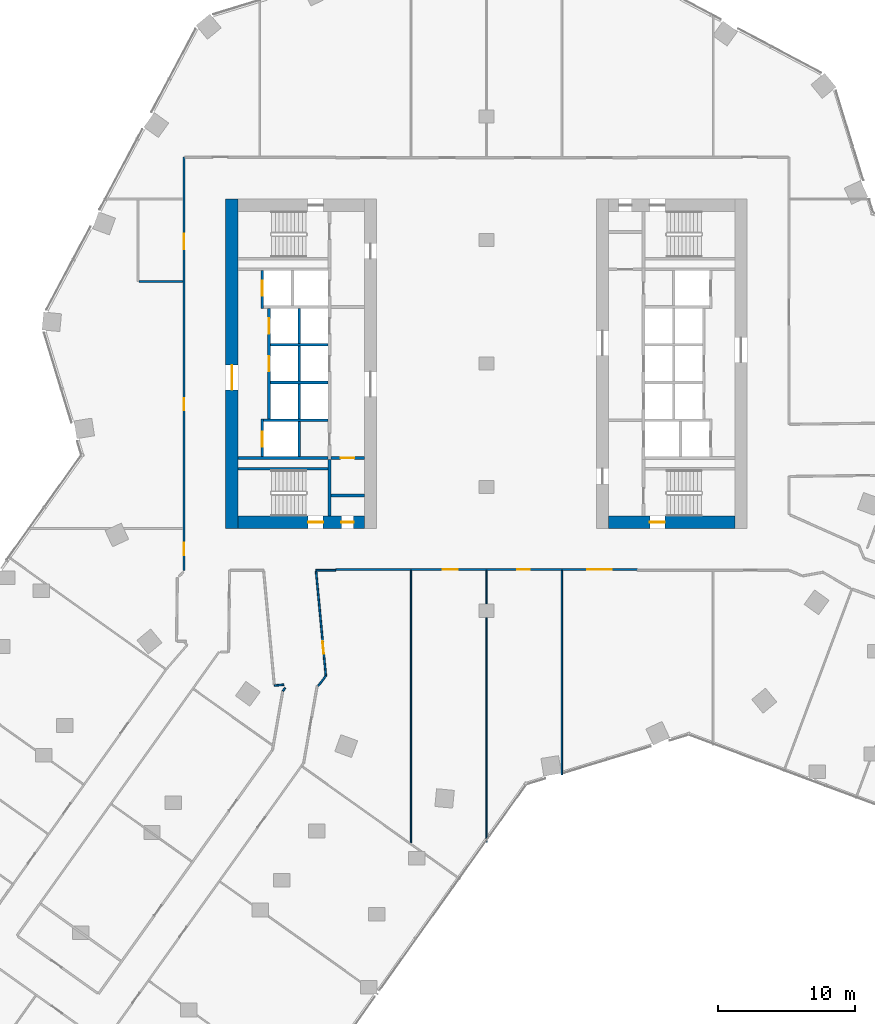
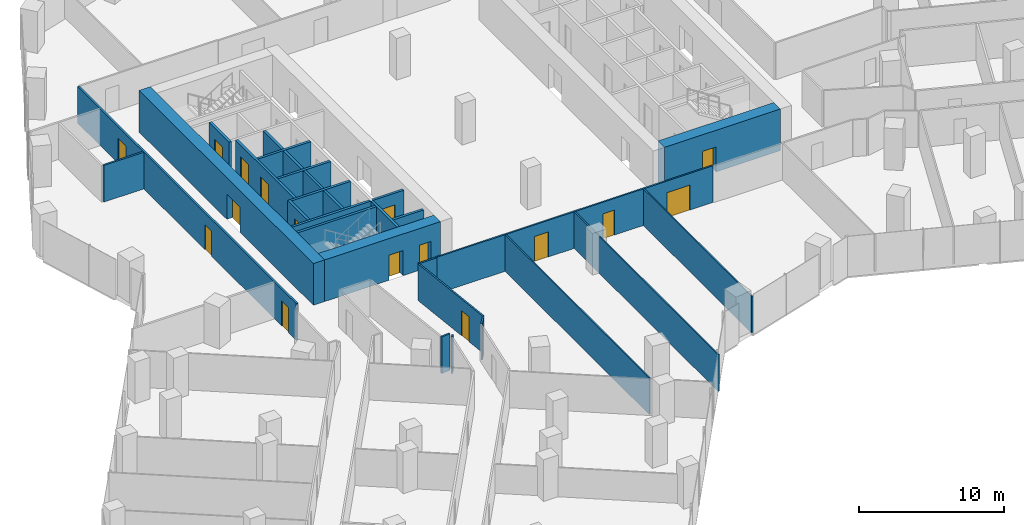
# One storey, part 24 of 31: 29 walls, 16 doors, 16 openings.
"""IFC4 building model written with IfcOpenShell, lengths in metres."""

from ifc_helpers import new_model, si_unit, direction, frame, frame_2d, origin, place, context, subcontext, project, spatial, rectangle, extrude, material, layer, layer_set, type_object, element, fill, save


model = new_model("IFC4")

# Units and contexts
model_context = context("Model", 3, precision=1e-05, world=origin(), true_north=direction((0.0, 1.0)))
body_context = subcontext(model_context, "Body", "Model", "MODEL_VIEW")
ifc_project = project(units=[si_unit("LENGTHUNIT", "METRE"), si_unit("AREAUNIT", "SQUARE_METRE"), si_unit("VOLUMEUNIT", "CUBIC_METRE"), si_unit("PLANEANGLEUNIT", "RADIAN"), si_unit("MASSUNIT", "GRAM", prefix="KILO")], contexts=[model_context])

# Site, building, storey
site_placement = place(None, origin())
site = spatial("IfcSite", under=ifc_project, at=site_placement, CompositionType="ELEMENT")
building_placement = place(site_placement, origin())
building = spatial("IfcBuilding", under=site, at=building_placement, Name="Orlundy Tower", CompositionType="ELEMENT")
storey_placement = place(building_placement, frame((0.0, 0.0, 91.199951171875)))
storey = spatial("IfcBuildingStorey", under=building, at=storey_placement, Name="L22", CompositionType="ELEMENT", Elevation=91.199951171875)

# Wall, openings, doors
ifc_material_1 = material(Name="Concrete C80/95", Category="concrete")
ifc_layer_1 = layer(ifc_material_1, 0.89990234375)
ifc_layer_set_1 = layer_set([ifc_layer_1], Name="CORE WALL 900 C80/95")
wall_type_1 = type_object("IfcWallType", Name="CORE WALL 900 C80/95", PredefinedType="SHEAR", material=ifc_layer_set_1)
wall_1_placement = place(storey_placement, frame((-18.10009765625, -11.550048828125, 0.0), z_axis=(0.0, 0.0, 1.0), x_axis=(1.0, 0.0, 0.0)))
wall_1 = element("IfcWall", 1, at=wall_1_placement, inside=storey, type_object=wall_type_1, Name="Core wall W-S L22", PredefinedType="SHEAR", context=body_context, shape_type="SweptSolid", body=[
    extrude(rectangle(XDim=9.2001953125, YDim=0.89990234375, at=frame_2d((4.60009765625, 0.0))), origin(), (0.0, 0.0, 1.0), 3.5),
])
opening_1_placement = place(wall_1_placement, frame((5.10009765625, 0.0, 0.0)))
opening_1 = element("IfcOpeningElement", 2, at=opening_1_placement, cuts=wall_1, Name="Opening 18013", PredefinedType="OPENING", context=body_context, shape_type="SweptSolid", body=[
    extrude(rectangle(XDim=1.10009765625, YDim=2.10009765625, at=frame_2d((0.550048828125, 1.050048828125))), frame((0.0, 0.4599609375, 0.0), z_axis=(0.0, -1.0, 0.0), x_axis=(1.0, 0.0, 0.0)), (0.0, 0.0, 1.0), 0.919921875),
])
opening_2_placement = place(wall_1_placement, frame((7.530029296875, 0.0, 0.0)))
opening_2 = element("IfcOpeningElement", 3, at=opening_2_placement, cuts=wall_1, Name="Opening 18015", PredefinedType="OPENING", context=body_context, shape_type="SweptSolid", body=[
    extrude(rectangle(XDim=0.89990234375, YDim=2.10009765625, at=frame_2d((0.449951171875, 1.050048828125))), frame((0.0, 0.4599609375, 0.0), z_axis=(0.0, -1.0, 0.0), x_axis=(1.0, 0.0, 0.0)), (0.0, 0.0, 1.0), 0.919921875),
])
ifc_material_2 = material(Name="Timber door set", Category="wood")
door_type_1 = type_object("IfcDoorType", Name="Room Door 900x2100", OperationType="SINGLE_SWING_LEFT", PredefinedType="DOOR", material=ifc_material_2)
door_1_placement = place(opening_2_placement, origin())
door_1 = element("IfcDoor", 4, at=door_1_placement, inside=storey, type_object=door_type_1, Name="Store door 18015", OperationType="SINGLE_SWING_RIGHT", OverallHeight=2.10009765625, OverallWidth=0.89990234375, PredefinedType="DOOR", context=body_context, shape_type="SweptSolid", body=[
    extrude(rectangle(XDim=0.89990234375, YDim=2.10009765625, at=frame_2d((0.449951171875, 1.050048828125))), frame((0.0, 0.02490234375, 0.0), z_axis=(0.0, -1.0, 0.0), x_axis=(1.0, 0.0, 0.0)), (0.0, 0.0, 1.0), 0.050048828125),
])
fill(opening_2, door_1)
ifc_material_3 = material(Name="Steel door set", Category="steel")
door_type_2 = type_object("IfcDoorType", Name="Stair Door 1100x2100", OperationType="SINGLE_SWING_LEFT", PredefinedType="DOOR", material=ifc_material_3)
door_2_placement = place(opening_1_placement, origin())
door_2 = element("IfcDoor", 5, at=door_2_placement, inside=storey, type_object=door_type_2, Name="Stair door 18013", OperationType="SINGLE_SWING_RIGHT", OverallHeight=2.10009765625, OverallWidth=1.10009765625, PredefinedType="DOOR", context=body_context, shape_type="SweptSolid", body=[
    extrude(rectangle(XDim=1.10009765625, YDim=2.10009765625, at=frame_2d((0.550048828125, 1.050048828125))), frame((0.0, 0.02490234375, 0.0), z_axis=(0.0, -1.0, 0.0), x_axis=(1.0, 0.0, 0.0)), (0.0, 0.0, 1.0), 0.050048828125),
])
fill(opening_1, door_2)

# Wall, opening, door
wall_2_placement = place(storey_placement, frame((-18.550048828125, -12.0, 0.0), z_axis=(0.0, 0.0, 1.0), x_axis=(0.0, 1.0, 0.0)))
wall_2 = element("IfcWall", 6, at=wall_2_placement, inside=storey, type_object=wall_type_1, Name="Core wall W-W L22", PredefinedType="SHEAR", context=body_context, shape_type="SweptSolid", body=[
    extrude(rectangle(XDim=24.0, YDim=0.89990234375, at=frame_2d((12.0, 0.0))), origin(), (0.0, 0.0, 1.0), 3.5),
])
opening_3_placement = place(wall_2_placement, frame((10.10009765625, 0.0, 0.0)))
opening_3 = element("IfcOpeningElement", 7, at=opening_3_placement, cuts=wall_2, Name="Opening 18010", PredefinedType="OPENING", context=body_context, shape_type="SweptSolid", body=[
    extrude(rectangle(XDim=1.800048828125, YDim=2.10009765625, at=frame_2d((0.89990234375, 1.050048828125))), frame((0.0, 0.4599609375, 0.0), z_axis=(0.0, -1.0, 0.0), x_axis=(1.0, 0.0, 0.0)), (0.0, 0.0, 1.0), 0.919921875),
])
ifc_material_4 = material(Name="Timber door set", Category="wood")
door_type_3 = type_object("IfcDoorType", Name="Lobby Door 1800x2100", OperationType="DOUBLE_DOOR_DOUBLE_SWING", PredefinedType="DOOR", material=ifc_material_4)
door_3_placement = place(opening_3_placement, origin())
door_3 = element("IfcDoor", 8, at=door_3_placement, inside=storey, type_object=door_type_3, Name="Lift lobby door 18010", OperationType="SINGLE_SWING_LEFT", OverallHeight=2.10009765625, OverallWidth=1.800048828125, PredefinedType="DOOR", context=body_context, shape_type="SweptSolid", body=[
    extrude(rectangle(XDim=1.800048828125, YDim=2.10009765625, at=frame_2d((0.89990234375, 1.050048828125))), frame((0.0, 0.02490234375, 0.0), z_axis=(0.0, -1.0, 0.0), x_axis=(1.0, 0.0, 0.0)), (0.0, 0.0, 1.0), 0.050048828125),
])
fill(opening_3, door_3)

wall_3_placement = place(storey_placement, frame((8.89990234375, -11.550048828125, 0.0), z_axis=(0.0, 0.0, 1.0), x_axis=(1.0, 0.0, 0.0)))
wall_3 = element("IfcWall", 9, at=wall_3_placement, inside=storey, type_object=wall_type_1, Name="Core wall E-S L22", PredefinedType="SHEAR", context=body_context, shape_type="SweptSolid", body=[
    extrude(rectangle(XDim=9.2001953125, YDim=0.89990234375, at=frame_2d((4.60009765625, 0.0))), origin(), (0.0, 0.0, 1.0), 3.5),
])
opening_4_placement = place(wall_3_placement, frame((3.0, 0.0, 0.0)))
opening_4 = element("IfcOpeningElement", 10, at=opening_4_placement, cuts=wall_3, Name="Opening 18061", PredefinedType="OPENING", context=body_context, shape_type="SweptSolid", body=[
    extrude(rectangle(XDim=1.10009765625, YDim=2.10009765625, at=frame_2d((0.550048828125, 1.050048828125))), frame((0.0, 0.4599609375, 0.0), z_axis=(0.0, -1.0, 0.0), x_axis=(1.0, 0.0, 0.0)), (0.0, 0.0, 1.0), 0.919921875),
])
door_4_placement = place(opening_4_placement, origin())
door_4 = element("IfcDoor", 11, at=door_4_placement, inside=storey, type_object=door_type_2, Name="Stair door 18061", OperationType="SINGLE_SWING_LEFT", OverallHeight=2.10009765625, OverallWidth=1.10009765625, PredefinedType="DOOR", context=body_context, shape_type="SweptSolid", body=[
    extrude(rectangle(XDim=1.10009765625, YDim=2.10009765625, at=frame_2d((0.550048828125, 1.050048828125))), frame((0.0, 0.02490234375, 0.0), z_axis=(0.0, -1.0, 0.0), x_axis=(1.0, 0.0, 0.0)), (0.0, 0.0, 1.0), 0.050048828125),
])
fill(opening_4, door_4)

# Walls
ifc_material_5 = material(Name="Gypsum board partition")
ifc_layer_2 = layer(ifc_material_5, 0.10009765625)
ifc_layer_set_2 = layer_set([ifc_layer_2], Name="Floor partition 100")
wall_type_2 = type_object("IfcWallType", Name="Floor partition 100", PredefinedType="PARTITIONING", material=ifc_layer_set_2)
wall_4_placement = place(storey_placement, frame((5.49609375, -29.950927734375, 0.0), z_axis=(0.0, 0.0, 1.0), x_axis=(0.0, 1.0, 0.0)))
element("IfcWall", 12, at=wall_4_placement, inside=storey, type_object=wall_type_2, Name="wall-int-L22-079", PredefinedType="PARTITIONING", context=body_context, shape_type="SweptSolid", body=[
    extrude(rectangle(XDim=14.887939453125, YDim=0.10009765625, at=frame_2d((7.44384765625, 0.0))), origin(), (0.0, 0.0, 1.0), 3.080078125),
])
wall_5_placement = place(storey_placement, frame((0.0, -34.87109375, 0.0), z_axis=(0.0, 0.0, 1.0), x_axis=(0.0, 1.0, 0.0)))
element("IfcWall", 13, at=wall_5_placement, inside=storey, type_object=wall_type_2, Name="wall-int-L22-081", PredefinedType="PARTITIONING", context=body_context, shape_type="SweptSolid", body=[
    extrude(rectangle(XDim=19.80810546875, YDim=0.10009765625, at=frame_2d((9.904052734375, 0.0))), origin(), (0.0, 0.0, 1.0), 3.080078125),
])
wall_6_placement = place(storey_placement, frame((-5.493896484375, -34.9130859375, 0.0), z_axis=(0.0, 0.0, 1.0), x_axis=(0.0, 1.0, 0.0)))
element("IfcWall", 14, at=wall_6_placement, inside=storey, type_object=wall_type_2, Name="wall-int-L22-083", PredefinedType="PARTITIONING", context=body_context, shape_type="SweptSolid", body=[
    extrude(rectangle(XDim=19.85009765625, YDim=0.10009765625, at=frame_2d((9.925048828125, 0.0))), origin(), (0.0, 0.0, 1.0), 3.080078125),
])

# Wall, opening, door
ifc_material_6 = material(Name="Gypsum board partition, double layer")
ifc_layer_3 = layer(ifc_material_6, 0.125)
ifc_layer_set_3 = layer_set([ifc_layer_3], Name="Floor partition 125")
wall_type_3 = type_object("IfcWallType", Name="Floor partition 125", PredefinedType="PARTITIONING", material=ifc_layer_set_3)
wall_7_placement = place(storey_placement, frame((-12.416015625, -15.113037109375, 0.0), z_axis=(0.0, 0.0, 1.0), x_axis=(0.093186749475, -0.995648647728, 0.0)))
wall_7 = element("IfcWall", 15, at=wall_7_placement, inside=storey, type_object=wall_type_3, Name="wall-int-L22-004", PredefinedType="PARTITIONING", context=body_context, shape_type="SweptSolid", body=[
    extrude(rectangle(XDim=7.663330078125, YDim=0.125, at=frame_2d((3.83154296875, 0.0))), origin(), (0.0, 0.0, 1.0), 3.080078125),
])
opening_5_placement = place(wall_7_placement, frame((5.152099609375, 0.0, 0.0)))
opening_5 = element("IfcOpeningElement", 16, at=opening_5_placement, cuts=wall_7, Name="Opening 18124", PredefinedType="OPENING", context=body_context, shape_type="SweptSolid", body=[
    extrude(rectangle(XDim=0.89990234375, YDim=2.10009765625, at=frame_2d((0.449951171875, 1.050048828125))), frame((0.0, 0.072509765625, 0.0), z_axis=(0.0, -1.0, 0.0), x_axis=(1.0, 0.0, 0.0)), (0.0, 0.0, 1.0), 0.14501953125),
])
ifc_material_7 = material(Name="Timber door leaf", Category="wood")
door_type_4 = type_object("IfcDoorType", Name="Floor door single 900 FD30S", OperationType="NOTDEFINED", PredefinedType="DOOR", material=ifc_material_7)
door_5_placement = place(opening_5_placement, origin())
door_5 = element("IfcDoor", 17, at=door_5_placement, inside=storey, type_object=door_type_4, Name="Door 18124", OperationType="SINGLE_SWING_RIGHT", OverallHeight=2.10009765625, OverallWidth=0.89990234375, PredefinedType="DOOR", context=body_context, shape_type="SweptSolid", body=[
    extrude(rectangle(XDim=0.89990234375, YDim=2.10009765625, at=frame_2d((0.449951171875, 1.050048828125))), frame((0.0, 0.02490234375, 0.0), z_axis=(0.0, -1.0, 0.0), x_axis=(1.0, 0.0, 0.0)), (0.0, 0.0, 1.0), 0.050048828125),
])
fill(opening_5, door_5)

# Wall
wall_8_placement = place(storey_placement, frame((-12.422119140625, -15.051025390625, 0.0), z_axis=(0.0, 0.0, 1.0), x_axis=(1.0, 0.0, 0.0)))
element("IfcWall", 18, at=wall_8_placement, inside=storey, type_object=wall_type_3, Name="wall-int-L22-032", PredefinedType="PARTITIONING", context=body_context, shape_type="SweptSolid", body=[
    extrude(rectangle(XDim=1.43115234375, YDim=0.125, at=frame_2d((0.715576171875, 0.0))), origin(), (0.0, 0.0, 1.0), 3.080078125),
])

# Wall, openings, doors
wall_9_placement = place(storey_placement, frame((10.989990234375, -15.0009765625, 0.0), z_axis=(0.0, 0.0, 1.0), x_axis=(-1.0, 0.0, 0.0)))
wall_9 = element("IfcWall", 19, at=wall_9_placement, inside=storey, type_object=wall_type_3, Name="wall-int-L22-034", PredefinedType="PARTITIONING", context=body_context, shape_type="SweptSolid", body=[
    extrude(rectangle(XDim=21.97998046875, YDim=0.125, at=frame_2d((10.989990234375, 0.0))), origin(), (0.0, 0.0, 1.0), 3.080078125),
])
opening_6_placement = place(wall_9_placement, frame((13.090087890625, 0.0, 0.0)))
opening_6 = element("IfcOpeningElement", 20, at=opening_6_placement, cuts=wall_9, Name="Opening 18125", PredefinedType="OPENING", context=body_context, shape_type="SweptSolid", body=[
    extrude(rectangle(XDim=1.10009765625, YDim=2.10009765625, at=frame_2d((0.550048828125, 1.050048828125))), frame((0.0, 0.072509765625, 0.0), z_axis=(0.0, -1.0, 0.0), x_axis=(1.0, 0.0, 0.0)), (0.0, 0.0, 1.0), 0.14501953125),
])
opening_7_placement = place(wall_9_placement, frame((7.843994140625, 0.0, 0.0)))
opening_7 = element("IfcOpeningElement", 21, at=opening_7_placement, cuts=wall_9, Name="Opening 18126", PredefinedType="OPENING", context=body_context, shape_type="SweptSolid", body=[
    extrude(rectangle(XDim=0.89990234375, YDim=2.10009765625, at=frame_2d((0.449951171875, 1.050048828125))), frame((0.0, 0.072509765625, 0.0), z_axis=(0.0, -1.0, 0.0), x_axis=(1.0, 0.0, 0.0)), (0.0, 0.0, 1.0), 0.14501953125),
])
opening_8_placement = place(wall_9_placement, frame((1.85009765625, 0.0, 0.0)))
opening_8 = element("IfcOpeningElement", 22, at=opening_8_placement, cuts=wall_9, Name="Opening 18127", PredefinedType="OPENING", context=body_context, shape_type="SweptSolid", body=[
    extrude(rectangle(XDim=1.800048828125, YDim=2.10009765625, at=frame_2d((0.89990234375, 1.050048828125))), frame((0.0, 0.072509765625, 0.0), z_axis=(0.0, -1.0, 0.0), x_axis=(1.0, 0.0, 0.0)), (0.0, 0.0, 1.0), 0.14501953125),
])
ifc_material_8 = material(Name="Timber door leaf", Category="wood")
door_type_5 = type_object("IfcDoorType", Name="Floor door double 1800 FD30S", OperationType="NOTDEFINED", PredefinedType="DOOR", material=ifc_material_8)
door_6_placement = place(opening_8_placement, origin())
door_6 = element("IfcDoor", 23, at=door_6_placement, inside=storey, type_object=door_type_5, Name="Door 18127", OperationType="DOUBLE_DOOR_SINGLE_SWING", OverallHeight=2.10009765625, OverallWidth=1.800048828125, PredefinedType="DOOR", context=body_context, shape_type="SweptSolid", body=[
    extrude(rectangle(XDim=1.800048828125, YDim=2.10009765625, at=frame_2d((0.89990234375, 1.050048828125))), frame((0.0, 0.02490234375, 0.0), z_axis=(0.0, -1.0, 0.0), x_axis=(1.0, 0.0, 0.0)), (0.0, 0.0, 1.0), 0.050048828125),
])
fill(opening_8, door_6)
door_7_placement = place(opening_7_placement, origin())
door_7 = element("IfcDoor", 24, at=door_7_placement, inside=storey, type_object=door_type_4, Name="Door 18126", OperationType="SINGLE_SWING_LEFT", OverallHeight=2.10009765625, OverallWidth=0.89990234375, PredefinedType="DOOR", context=body_context, shape_type="SweptSolid", body=[
    extrude(rectangle(XDim=0.89990234375, YDim=2.10009765625, at=frame_2d((0.449951171875, 1.050048828125))), frame((0.0, 0.02490234375, 0.0), z_axis=(0.0, -1.0, 0.0), x_axis=(1.0, 0.0, 0.0)), (0.0, 0.0, 1.0), 0.050048828125),
])
fill(opening_7, door_7)
ifc_material_9 = material(Name="Timber door leaf", Category="wood")
door_type_6 = type_object("IfcDoorType", Name="Floor door xwide 1100 FD30S", OperationType="NOTDEFINED", PredefinedType="DOOR", material=ifc_material_9)
door_8_placement = place(opening_6_placement, origin())
door_8 = element("IfcDoor", 25, at=door_8_placement, inside=storey, type_object=door_type_6, Name="Door 18125", OperationType="SINGLE_SWING_RIGHT", OverallHeight=2.10009765625, OverallWidth=1.10009765625, PredefinedType="DOOR", context=body_context, shape_type="SweptSolid", body=[
    extrude(rectangle(XDim=1.10009765625, YDim=2.10009765625, at=frame_2d((0.550048828125, 1.050048828125))), frame((0.0, 0.02490234375, 0.0), z_axis=(0.0, -1.0, 0.0), x_axis=(1.0, 0.0, 0.0)), (0.0, 0.0, 1.0), 0.050048828125),
])
fill(opening_6, door_8)

# Walls
wall_10_placement = place(storey_placement, frame((-12.256103515625, -23.47607421875, 0.0), z_axis=(0.0, 0.0, 1.0), x_axis=(0.603013454961, 0.797731015528, 0.0)))
element("IfcWall", 26, at=wall_10_placement, inside=storey, type_object=wall_type_3, Name="wall-int-L22-045", PredefinedType="PARTITIONING", context=body_context, shape_type="SweptSolid", body=[
    extrude(rectangle(XDim=0.9189453125, YDim=0.125, at=frame_2d((0.45947265625, 0.0))), origin(), (0.0, 0.0, 1.0), 3.080078125),
])
wall_11_placement = place(storey_placement, frame((-15.4541015625, -23.451904296875, 0.0), z_axis=(0.0, 0.0, 1.0), x_axis=(0.995687741578, 0.09276810482, 0.0)))
element("IfcWall", 27, at=wall_11_placement, inside=storey, type_object=wall_type_3, Name="wall-int-L22-046", PredefinedType="PARTITIONING", context=body_context, shape_type="SweptSolid", body=[
    extrude(rectangle(XDim=0.699951171875, YDim=0.125, at=frame_2d((0.35009765625, 0.0))), origin(), (0.0, 0.0, 1.0), 3.080078125),
])
wall_12_placement = place(storey_placement, frame((-14.840087890625, -23.85693359375, 0.0), z_axis=(0.0, 0.0, 1.0), x_axis=(0.586176879317, 0.810183106559, 0.0)))
element("IfcWall", 28, at=wall_12_placement, inside=storey, type_object=wall_type_3, Name="wall-int-L22-049", PredefinedType="PARTITIONING", context=body_context, shape_type="SweptSolid", body=[
    extrude(rectangle(XDim=0.298583984375, YDim=0.125, at=frame_2d((0.1494140625, 0.0))), origin(), (0.0, 0.0, 1.0), 3.080078125),
])
ifc_material_10 = material(Name="Blockwork shaft wall", Category="masonry")
ifc_layer_4 = layer(ifc_material_10, 0.14990234375)
ifc_layer_set_4 = layer_set([ifc_layer_4], Name="Floor shaft wall 150")
wall_type_4 = type_object("IfcWallType", Name="Floor shaft wall 150", PredefinedType="PARTITIONING", material=ifc_layer_set_4)
wall_13_placement = place(storey_placement, frame((-25.306884765625, 6.0009765625, 0.0), z_axis=(0.0, 0.0, 1.0), x_axis=(1.0, 0.0, 0.0)))
element("IfcWall", 29, at=wall_13_placement, inside=storey, type_object=wall_type_4, Name="wall-int-L22-036", PredefinedType="PARTITIONING", context=body_context, shape_type="SweptSolid", body=[
    extrude(rectangle(XDim=3.181884765625, YDim=0.14990234375, at=frame_2d((1.5908203125, 0.0))), origin(), (0.0, 0.0, 1.0), 3.080078125),
])

# Wall, openings, doors
wall_14_placement = place(storey_placement, frame((-22.050048828125, -15.051025390625, 0.0), z_axis=(0.0, 0.0, 1.0), x_axis=(0.0, 1.0, 0.0)))
wall_14 = element("IfcWall", 30, at=wall_14_placement, inside=storey, type_object=wall_type_4, Name="wall-int-L22-086", PredefinedType="PARTITIONING", context=body_context, shape_type="SweptSolid", body=[
    extrude(rectangle(XDim=30.10205078125, YDim=0.14990234375, at=frame_2d((15.051025390625, 0.0))), origin(), (0.0, 0.0, 1.0), 3.080078125),
])
opening_9_placement = place(wall_14_placement, frame((11.65087890625, 0.0, 0.0)))
opening_9 = element("IfcOpeningElement", 31, at=opening_9_placement, cuts=wall_14, Name="Opening 18120", PredefinedType="OPENING", context=body_context, shape_type="SweptSolid", body=[
    extrude(rectangle(XDim=0.89990234375, YDim=2.10009765625, at=frame_2d((0.449951171875, 1.050048828125))), frame((0.0, 0.0849609375, 0.0), z_axis=(0.0, -1.0, 0.0), x_axis=(1.0, 0.0, 0.0)), (0.0, 0.0, 1.0), 0.169921875),
])
opening_10_placement = place(wall_14_placement, frame((1.10009765625, 0.0, 0.0)))
opening_10 = element("IfcOpeningElement", 32, at=opening_10_placement, cuts=wall_14, Name="Opening 18121", PredefinedType="OPENING", context=body_context, shape_type="SweptSolid", body=[
    extrude(rectangle(XDim=0.89990234375, YDim=2.10009765625, at=frame_2d((0.449951171875, 1.050048828125))), frame((0.0, 0.0849609375, 0.0), z_axis=(0.0, -1.0, 0.0), x_axis=(1.0, 0.0, 0.0)), (0.0, 0.0, 1.0), 0.169921875),
])
opening_11_placement = place(wall_14_placement, frame((23.402099609375, 0.0, 0.0)))
opening_11 = element("IfcOpeningElement", 33, at=opening_11_placement, cuts=wall_14, Name="Opening 18137", PredefinedType="OPENING", context=body_context, shape_type="SweptSolid", body=[
    extrude(rectangle(XDim=1.10009765625, YDim=2.10009765625, at=frame_2d((0.550048828125, 1.050048828125))), frame((0.0, 0.0849609375, 0.0), z_axis=(0.0, -1.0, 0.0), x_axis=(1.0, 0.0, 0.0)), (0.0, 0.0, 1.0), 0.169921875),
])
ifc_material_11 = material(Name="Timber door leaf", Category="wood")
door_type_7 = type_object("IfcDoorType", Name="Floor door single 900 FD60", OperationType="NOTDEFINED", PredefinedType="DOOR", material=ifc_material_11)
door_9_placement = place(opening_9_placement, origin())
door_9 = element("IfcDoor", 34, at=door_9_placement, inside=storey, type_object=door_type_7, Name="Door 18120", OperationType="SINGLE_SWING_LEFT", OverallHeight=2.10009765625, OverallWidth=0.89990234375, PredefinedType="DOOR", context=body_context, shape_type="SweptSolid", body=[
    extrude(rectangle(XDim=0.89990234375, YDim=2.10009765625, at=frame_2d((0.449951171875, 1.050048828125))), frame((0.0, 0.02490234375, 0.0), z_axis=(0.0, -1.0, 0.0), x_axis=(1.0, 0.0, 0.0)), (0.0, 0.0, 1.0), 0.050048828125),
])
fill(opening_9, door_9)
door_10_placement = place(opening_10_placement, origin())
door_10 = element("IfcDoor", 35, at=door_10_placement, inside=storey, type_object=door_type_7, Name="Door 18121", OperationType="SINGLE_SWING_LEFT", OverallHeight=2.10009765625, OverallWidth=0.89990234375, PredefinedType="DOOR", context=body_context, shape_type="SweptSolid", body=[
    extrude(rectangle(XDim=0.89990234375, YDim=2.10009765625, at=frame_2d((0.449951171875, 1.050048828125))), frame((0.0, 0.02490234375, 0.0), z_axis=(0.0, -1.0, 0.0), x_axis=(1.0, 0.0, 0.0)), (0.0, 0.0, 1.0), 0.050048828125),
])
fill(opening_10, door_10)
ifc_material_12 = material(Name="Timber door leaf", Category="wood")
door_type_8 = type_object("IfcDoorType", Name="Floor door xwide 1100 FD60", OperationType="NOTDEFINED", PredefinedType="DOOR", material=ifc_material_12)
door_11_placement = place(opening_11_placement, origin())
door_11 = element("IfcDoor", 36, at=door_11_placement, inside=storey, type_object=door_type_8, Name="Door 18137", OperationType="SINGLE_SWING_RIGHT", OverallHeight=2.10009765625, OverallWidth=1.10009765625, PredefinedType="DOOR", context=body_context, shape_type="SweptSolid", body=[
    extrude(rectangle(XDim=1.10009765625, YDim=2.10009765625, at=frame_2d((0.550048828125, 1.050048828125))), frame((0.0, 0.02490234375, 0.0), z_axis=(0.0, -1.0, 0.0), x_axis=(1.0, 0.0, 0.0)), (0.0, 0.0, 1.0), 0.050048828125),
])
fill(opening_11, door_11)

# Walls
ifc_material_13 = material(Name="Concrete C40/50", Category="concrete")
ifc_layer_5 = layer(ifc_material_13, 0.199951171875)
ifc_layer_set_5 = layer_set([ifc_layer_5], Name="Load-bearing Shaft Wall 200")
wall_type_5 = type_object("IfcWallType", Name="Load-bearing Shaft Wall 200", PredefinedType="SOLIDWALL", material=ifc_layer_set_5)
wall_15_placement = place(storey_placement, frame((-11.43994140625, -11.10009765625, 0.0), z_axis=(0.0, 0.0, 1.0), x_axis=(0.0, 1.0, 0.0)))
element("IfcWall", 37, at=wall_15_placement, inside=storey, type_object=wall_type_5, Name="Shaft wall W18-stair-end-s", PredefinedType="SOLIDWALL", context=body_context, shape_type="SweptSolid", body=[
    extrude(rectangle(XDim=4.125, YDim=0.199951171875, at=frame_2d((2.0625, 0.0))), origin(), (0.0, 0.0, 1.0), 3.090087890625),
])
wall_16_placement = place(storey_placement, frame((-11.5400390625, -7.64990234375, 0.0), z_axis=(0.0, 0.0, 1.0), x_axis=(-1.0, 0.0, 0.0)))
element("IfcWall", 38, at=wall_16_placement, inside=storey, type_object=wall_type_5, Name="Shaft wall W18-stair-side-s", PredefinedType="SOLIDWALL", context=body_context, shape_type="SweptSolid", body=[
    extrude(rectangle(XDim=6.56005859375, YDim=0.199951171875, at=frame_2d((3.280029296875, 0.0))), origin(), (0.0, 0.0, 1.0), 3.090087890625),
])

# Wall, opening, door
ifc_material_14 = material(Name="Gypsum board partition on steel studs", Category="steel")
ifc_layer_6 = layer(ifc_material_14, 0.199951171875)
ifc_layer_set_6 = layer_set([ifc_layer_6], Name="Partition 200")
wall_type_6 = type_object("IfcWallType", Name="Partition 200", PredefinedType="PARTITIONING", material=ifc_layer_set_6)
wall_17_placement = place(storey_placement, frame((-8.89990234375, -6.875, 0.0), z_axis=(0.0, 0.0, 1.0), x_axis=(-1.0, 0.0, 0.0)))
wall_17 = element("IfcWall", 39, at=wall_17_placement, inside=storey, type_object=wall_type_6, Name="Partition wall W18-end-s", PredefinedType="PARTITIONING", context=body_context, shape_type="SweptSolid", body=[
    extrude(rectangle(XDim=2.440185546875, YDim=0.199951171875, at=frame_2d((1.22021484375, 0.0))), origin(), (0.0, 0.0, 1.0), 3.090087890625),
])
opening_12_placement = place(wall_17_placement, frame((0.719970703125, 0.0, 0.0)))
opening_12 = element("IfcOpeningElement", 40, at=opening_12_placement, cuts=wall_17, Name="Opening 18016", PredefinedType="OPENING", context=body_context, shape_type="SweptSolid", body=[
    extrude(rectangle(XDim=1.0, YDim=2.10009765625, at=frame_2d((0.5, 1.050048828125))), frame((0.0, 0.110107421875, 0.0), z_axis=(0.0, -1.0, 0.0), x_axis=(1.0, 0.0, 0.0)), (0.0, 0.0, 1.0), 0.22021484375),
])
ifc_material_15 = material(Name="Timber door set", Category="wood")
door_type_9 = type_object("IfcDoorType", Name="Accessible Door 1000x2100", OperationType="SINGLE_SWING_LEFT", PredefinedType="DOOR", material=ifc_material_15)
door_12_placement = place(opening_12_placement, origin())
door_12 = element("IfcDoor", 41, at=door_12_placement, inside=storey, type_object=door_type_9, Name="Accessible WC door 18016", OperationType="SINGLE_SWING_RIGHT", OverallHeight=2.10009765625, OverallWidth=1.0, PredefinedType="DOOR", context=body_context, shape_type="SweptSolid", body=[
    extrude(rectangle(XDim=1.0, YDim=2.10009765625, at=frame_2d((0.5, 1.050048828125))), frame((0.0, 0.02490234375, 0.0), z_axis=(0.0, -1.0, 0.0), x_axis=(1.0, 0.0, 0.0)), (0.0, 0.0, 1.0), 0.050048828125),
])
fill(opening_12, door_12)

# Walls
wall_18_placement = place(storey_placement, frame((-8.89990234375, -9.60009765625, 0.0), z_axis=(0.0, 0.0, 1.0), x_axis=(-1.0, 0.0, 0.0)))
element("IfcWall", 42, at=wall_18_placement, inside=storey, type_object=wall_type_6, Name="Partition wall W18-room-s0", PredefinedType="PARTITIONING", context=body_context, shape_type="SweptSolid", body=[
    extrude(rectangle(XDim=2.440185546875, YDim=0.199951171875, at=frame_2d((1.22021484375, 0.0))), origin(), (0.0, 0.0, 1.0), 3.090087890625),
])
ifc_material_16 = material(Name="Fire-rated blockwork shaft wall", Category="masonry")
ifc_layer_7 = layer(ifc_material_16, 0.199951171875)
ifc_layer_set_7 = layer_set([ifc_layer_7], Name="Shaft Wall 200")
wall_type_7 = type_object("IfcWallType", Name="Shaft Wall 200", PredefinedType="SOLIDWALL", material=ifc_layer_set_7)
wall_19_placement = place(storey_placement, frame((-11.5400390625, -6.875, 0.0), z_axis=(0.0, 0.0, 1.0), x_axis=(-1.0, 0.0, 0.0)))
element("IfcWall", 43, at=wall_19_placement, inside=storey, type_object=wall_type_7, Name="Shaft wall W18-zone-s", PredefinedType="SOLIDWALL", context=body_context, shape_type="SweptSolid", body=[
    extrude(rectangle(XDim=6.56005859375, YDim=0.199951171875, at=frame_2d((3.280029296875, 0.0))), origin(), (0.0, 0.0, 1.0), 3.090087890625),
])
wall_20_placement = place(storey_placement, frame((-11.5400390625, -4.125, 0.0), z_axis=(0.0, 0.0, 1.0), x_axis=(-1.0, 0.0, 0.0)))
element("IfcWall", 44, at=wall_20_placement, inside=storey, type_object=wall_type_7, Name="Shaft wall W18-cross-4.125", PredefinedType="SOLIDWALL", context=body_context, shape_type="SweptSolid", body=[
    extrude(rectangle(XDim=4.699951171875, YDim=0.199951171875, at=frame_2d((2.35009765625, 0.0))), origin(), (0.0, 0.0, 1.0), 3.090087890625),
])
for number, where, z_axis, x_axis, name in (
    (45, (-11.5400390625, -1.375, 0.0), (0.0, 0.0, 1.0), (-1.0, 0.0, 0.0), "Shaft wall W18-cross-1.375"),
    (46, (-11.5400390625, 1.375, 0.0), (0.0, 0.0, 1.0), (-1.0, 0.0, 0.0), "Shaft wall W18-cross+1.375"),
):
    element("IfcWall", number, at=place(storey_placement, frame(where, z_axis=z_axis, x_axis=x_axis)), inside=storey, type_object=wall_type_7, Name=name, PredefinedType="SOLIDWALL", context=body_context, shape_type="SweptSolid", body=[
        extrude(rectangle(XDim=4.199951171875, YDim=0.199951171875, at=frame_2d((2.10009765625, 0.0))), origin(), (0.0, 0.0, 1.0), 3.090087890625),
    ])
for number, where, z_axis, x_axis, name in (
    (47, (-13.639892578125, -6.77490234375, 0.0), (0.0, 0.0, 1.0), (0.0, 1.0, 0.0), "Shaft wall W18-mid-a"),
    (48, (-13.639892578125, -4.02490234375, 0.0), (0.0, 0.0, 1.0), (0.0, 1.0, 0.0), "Shaft wall W18-mid-a.1"),
    (49, (-13.639892578125, -1.27490234375, 0.0), (0.0, 0.0, 1.0), (0.0, 1.0, 0.0), "Shaft wall W18-mid-a.2"),
    (50, (-13.639892578125, 1.47509765625, 0.0), (0.0, 0.0, 1.0), (0.0, 1.0, 0.0), "Shaft wall W18-mid-a.3"),
):
    element("IfcWall", number, at=place(storey_placement, frame(where, z_axis=z_axis, x_axis=x_axis)), inside=storey, type_object=wall_type_7, Name=name, PredefinedType="SOLIDWALL", context=body_context, shape_type="SweptSolid", body=[
        extrude(rectangle(XDim=2.5498046875, YDim=0.199951171875, at=frame_2d((1.27490234375, 0.0))), origin(), (0.0, 0.0, 1.0), 3.090087890625),
    ])

# Wall, opening, door
wall_21_placement = place(storey_placement, frame((-16.340087890625, -6.77490234375, 0.0), z_axis=(0.0, 0.0, 1.0), x_axis=(0.0, 1.0, 0.0)))
wall_21 = element("IfcWall", 51, at=wall_21_placement, inside=storey, type_object=wall_type_7, Name="Shaft wall W18-front-o-a", PredefinedType="SOLIDWALL", context=body_context, shape_type="SweptSolid", body=[
    extrude(rectangle(XDim=2.75, YDim=0.199951171875, at=frame_2d((1.375, 0.0))), origin(), (0.0, 0.0, 1.0), 3.090087890625),
])
opening_13_placement = place(wall_21_placement, frame((0.72509765625, 0.0, 0.0)))
opening_13 = element("IfcOpeningElement", 52, at=opening_13_placement, cuts=wall_21, Name="Opening 18001", PredefinedType="OPENING", context=body_context, shape_type="SweptSolid", body=[
    extrude(rectangle(XDim=1.10009765625, YDim=2.10009765625, at=frame_2d((0.550048828125, 1.050048828125))), frame((0.0, 0.110107421875, 0.0), z_axis=(0.0, -1.0, 0.0), x_axis=(1.0, 0.0, 0.0)), (0.0, 0.0, 1.0), 0.22021484375),
])
ifc_material_17 = material(Name="Steel door set", Category="steel")
door_type_10 = type_object("IfcDoorType", Name="Landing Door 1100x2100", OperationType="DOUBLE_DOOR_SLIDING", PredefinedType="DOOR", material=ifc_material_17)
door_13_placement = place(opening_13_placement, origin())
door_13 = element("IfcDoor", 53, at=door_13_placement, inside=storey, type_object=door_type_10, Name="Lift landing door LV-01 18001", OperationType="DOUBLE_DOOR_SLIDING", OverallHeight=2.10009765625, OverallWidth=1.10009765625, PredefinedType="DOOR", context=body_context, shape_type="SweptSolid", body=[
    extrude(rectangle(XDim=1.10009765625, YDim=2.10009765625, at=frame_2d((0.550048828125, 1.050048828125))), frame((0.0, 0.02490234375, 0.0), z_axis=(0.0, -1.0, 0.0), x_axis=(1.0, 0.0, 0.0)), (0.0, 0.0, 1.0), 0.050048828125),
])
fill(opening_13, door_13)

# Wall, openings, doors
wall_22_placement = place(storey_placement, frame((-15.840087890625, -4.02490234375, 0.0), z_axis=(0.0, 0.0, 1.0), x_axis=(0.0, 1.0, 0.0)))
wall_22 = element("IfcWall", 54, at=wall_22_placement, inside=storey, type_object=wall_type_7, Name="Shaft wall W18-front-o-b", PredefinedType="SOLIDWALL", context=body_context, shape_type="SweptSolid", body=[
    extrude(rectangle(XDim=8.0498046875, YDim=0.199951171875, at=frame_2d((4.02490234375, 0.0))), origin(), (0.0, 0.0, 1.0), 3.090087890625),
])
opening_14_placement = place(wall_22_placement, frame((3.47509765625, 0.0, 0.0)))
opening_14 = element("IfcOpeningElement", 55, at=opening_14_placement, cuts=wall_22, Name="Opening 18003", PredefinedType="OPENING", context=body_context, shape_type="SweptSolid", body=[
    extrude(rectangle(XDim=1.10009765625, YDim=2.10009765625, at=frame_2d((0.550048828125, 1.050048828125))), frame((0.0, 0.110107421875, 0.0), z_axis=(0.0, -1.0, 0.0), x_axis=(1.0, 0.0, 0.0)), (0.0, 0.0, 1.0), 0.22021484375),
])
opening_15_placement = place(wall_22_placement, frame((6.22509765625, 0.0, 0.0)))
opening_15 = element("IfcOpeningElement", 56, at=opening_15_placement, cuts=wall_22, Name="Opening 18005", PredefinedType="OPENING", context=body_context, shape_type="SweptSolid", body=[
    extrude(rectangle(XDim=1.10009765625, YDim=2.10009765625, at=frame_2d((0.550048828125, 1.050048828125))), frame((0.0, 0.110107421875, 0.0), z_axis=(0.0, -1.0, 0.0), x_axis=(1.0, 0.0, 0.0)), (0.0, 0.0, 1.0), 0.22021484375),
])
door_14_placement = place(opening_14_placement, origin())
door_14 = element("IfcDoor", 57, at=door_14_placement, inside=storey, type_object=door_type_10, Name="Lift landing door LP-01 18003", OperationType="DOUBLE_DOOR_SLIDING", OverallHeight=2.10009765625, OverallWidth=1.10009765625, PredefinedType="DOOR", context=body_context, shape_type="SweptSolid", body=[
    extrude(rectangle(XDim=1.10009765625, YDim=2.10009765625, at=frame_2d((0.550048828125, 1.050048828125))), frame((0.0, 0.02490234375, 0.0), z_axis=(0.0, -1.0, 0.0), x_axis=(1.0, 0.0, 0.0)), (0.0, 0.0, 1.0), 0.050048828125),
])
fill(opening_14, door_14)
door_15_placement = place(opening_15_placement, origin())
door_15 = element("IfcDoor", 58, at=door_15_placement, inside=storey, type_object=door_type_10, Name="Lift landing door LP-03 18005", OperationType="DOUBLE_DOOR_SLIDING", OverallHeight=2.10009765625, OverallWidth=1.10009765625, PredefinedType="DOOR", context=body_context, shape_type="SweptSolid", body=[
    extrude(rectangle(XDim=1.10009765625, YDim=2.10009765625, at=frame_2d((0.550048828125, 1.050048828125))), frame((0.0, 0.02490234375, 0.0), z_axis=(0.0, -1.0, 0.0), x_axis=(1.0, 0.0, 0.0)), (0.0, 0.0, 1.0), 0.050048828125),
])
fill(opening_15, door_15)

# Wall, opening, door
wall_23_placement = place(storey_placement, frame((-16.340087890625, 4.02490234375, 0.0), z_axis=(0.0, 0.0, 1.0), x_axis=(0.0, 1.0, 0.0)))
wall_23 = element("IfcWall", 59, at=wall_23_placement, inside=storey, type_object=wall_type_7, Name="Shaft wall W18-front-o-c", PredefinedType="SOLIDWALL", context=body_context, shape_type="SweptSolid", body=[
    extrude(rectangle(XDim=2.75, YDim=0.199951171875, at=frame_2d((1.375, 0.0))), origin(), (0.0, 0.0, 1.0), 3.090087890625),
])
opening_16_placement = place(wall_23_placement, frame((0.925048828125, 0.0, 0.0)))
opening_16 = element("IfcOpeningElement", 60, at=opening_16_placement, cuts=wall_23, Name="Opening 18007", PredefinedType="OPENING", context=body_context, shape_type="SweptSolid", body=[
    extrude(rectangle(XDim=1.10009765625, YDim=2.10009765625, at=frame_2d((0.550048828125, 1.050048828125))), frame((0.0, 0.110107421875, 0.0), z_axis=(0.0, -1.0, 0.0), x_axis=(1.0, 0.0, 0.0)), (0.0, 0.0, 1.0), 0.22021484375),
])
door_16_placement = place(opening_16_placement, origin())
door_16 = element("IfcDoor", 61, at=door_16_placement, inside=storey, type_object=door_type_10, Name="Lift landing door LP-04 18007", OperationType="DOUBLE_DOOR_SLIDING", OverallHeight=2.10009765625, OverallWidth=1.10009765625, PredefinedType="DOOR", context=body_context, shape_type="SweptSolid", body=[
    extrude(rectangle(XDim=1.10009765625, YDim=2.10009765625, at=frame_2d((0.550048828125, 1.050048828125))), frame((0.0, 0.02490234375, 0.0), z_axis=(0.0, -1.0, 0.0), x_axis=(1.0, 0.0, 0.0)), (0.0, 0.0, 1.0), 0.050048828125),
])
fill(opening_16, door_16)

save(model, "model.ifc")
